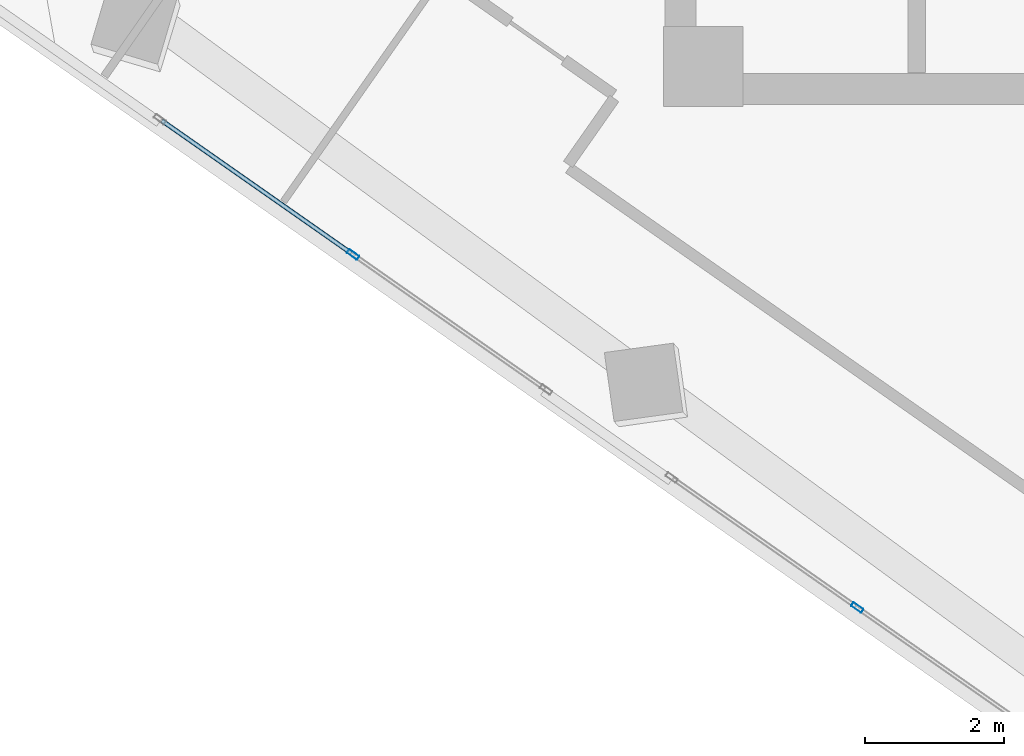
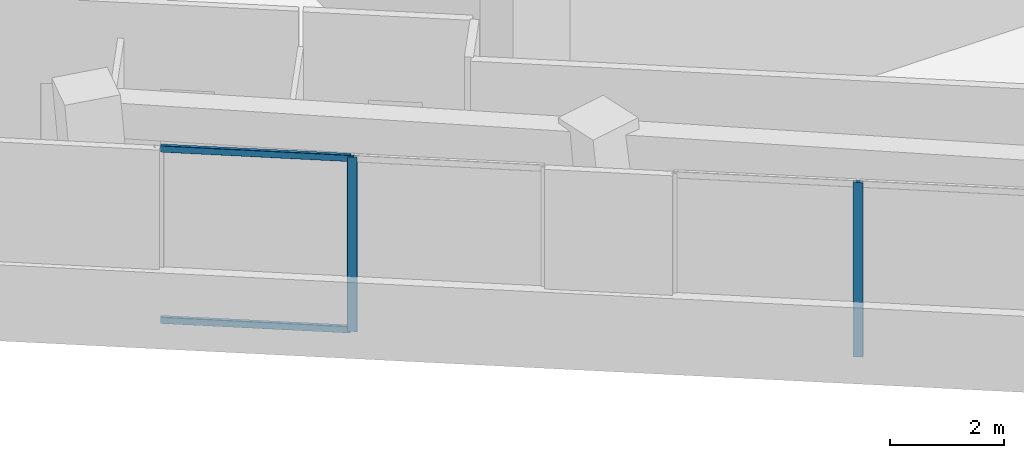
# One storey, part 2 of 22: 4 members, 2 elements without a shape of their own.
"""IFC4 building model written with IfcOpenShell, lengths in metres."""

from ifc_helpers import new_model, si_unit, direction, frame, origin, origin_2d, place, context, subcontext, project, spatial, hollow_rectangle, extrude, source, transform, mapped, material, material_profile, profile_set, type_object, element, aggregate, save


model = new_model("IFC4")

# Units and contexts
model_context = context("Model", 3, precision=1e-05, world=origin(), true_north=direction((0.0, 1.0)))
body_context = subcontext(model_context, "Body", "Model", "MODEL_VIEW")
ifc_project = project(units=[si_unit("LENGTHUNIT", "METRE"), si_unit("AREAUNIT", "SQUARE_METRE"), si_unit("VOLUMEUNIT", "CUBIC_METRE"), si_unit("PLANEANGLEUNIT", "RADIAN"), si_unit("MASSUNIT", "GRAM", prefix="KILO")], contexts=[model_context])

# Site, building, storey
site_placement = place(None, origin())
site = spatial("IfcSite", under=ifc_project, at=site_placement, CompositionType="ELEMENT")
building_placement = place(site_placement, origin())
building = spatial("IfcBuilding", under=site, at=building_placement, Name="Torre Montelarca", CompositionType="ELEMENT")
storey_placement = place(building_placement, frame((0.0, 0.0, 196.0)))
storey = spatial("IfcBuildingStorey", under=building, at=storey_placement, Name="L44", CompositionType="ELEMENT", Elevation=196.0)

# Curtain wall, member
ifc_material_1 = material(Name="Insulated low-E laminated glass", Category="glass")
curtain_wall_type = type_object("IfcCurtainWallType", Name="CW-SYS-Z2", PredefinedType="USERDEFINED", material=ifc_material_1)
curtain_wall_1_placement = place(storey_placement, origin())
curtain_wall_1 = element("IfcCurtainWall", 1, at=curtain_wall_1_placement, inside=storey, type_object=curtain_wall_type, Name="L44 Curtain Wall Run CW-T3-L44-E01-B1", ObjectType="UNITISED GLAZING", PredefinedType="USERDEFINED")
ifc_material_2 = material(Name="Anodised aluminium AA 6063-T6", Category="aluminium")
ifc_material_profile_1 = material_profile(ifc_material_2, hollow_rectangle(XDim=0.06494140625, YDim=0.179931640625, WallThickness=0.00390625, InnerFilletRadius=0.00390625, OuterFilletRadius=0.008056640625, at=origin_2d()), Name="ALU65X180X4", Category="aluminium")
ifc_profile_set_1 = profile_set([ifc_material_profile_1], Name="Anodised aluminium AA 6063-T6")
member_type_1 = type_object("IfcMemberType", Name="CWM-ALU180", PredefinedType="MULLION", material=ifc_profile_set_1)
shared_shape_1 = source(origin(), body_context, "Body", "SweptSolid", [
    extrude(hollow_rectangle(XDim=0.06494140625, YDim=0.179931640625, WallThickness=0.00390625, InnerFilletRadius=0.00390625, OuterFilletRadius=0.008056640625, at=origin_2d()), origin(), (0.0, 0.0, 1.0), 3.719970703125),
])
member_1_placement = place(storey_placement, frame((4.505615234375, 21.840087890625, 0.0), z_axis=(0.0, 0.0, 1.0), x_axis=(0.573568109864, 0.819157874495, 0.0)))
member_1 = element("IfcMember", 2, at=member_1_placement, type_object=member_type_1, Name="CW mullion 2", PredefinedType="MULLION", context=body_context, shape_type="MappedRepresentation", body=[
    mapped(shared_shape_1, transform((0.0, 0.0, 0.0), scale=1.0)),
])

curtain_wall_2_placement = place(storey_placement, origin())
curtain_wall_2 = element("IfcCurtainWall", 3, at=curtain_wall_2_placement, inside=storey, type_object=curtain_wall_type, Name="L44 Curtain Wall Run CW-T3-L44-E01-B2", ObjectType="UNITISED GLAZING", PredefinedType="USERDEFINED")
member_2_placement = place(storey_placement, frame((11.769775390625, 16.75390625, 0.0), z_axis=(0.0, 0.0, 1.0), x_axis=(0.573571337551, 0.819155614484, 0.0)))
member_2 = element("IfcMember", 4, at=member_2_placement, type_object=member_type_1, Name="CW mullion 2", PredefinedType="MULLION", context=body_context, shape_type="MappedRepresentation", body=[
    mapped(shared_shape_1, transform((0.0, 0.0, 0.0), scale=1.0)),
])
aggregate(curtain_wall_2, [member_2])

# Member
ifc_material_profile_2 = material_profile(ifc_material_2, hollow_rectangle(XDim=0.06494140625, YDim=0.139892578125, WallThickness=0.00390625, InnerFilletRadius=0.00390625, OuterFilletRadius=0.008056640625, at=origin_2d()), Name="ALU65X140X4", Category="aluminium")
ifc_profile_set_2 = profile_set([ifc_material_profile_2], Name="Anodised aluminium AA 6063-T6")
member_type_2 = type_object("IfcMemberType", Name="CWT-ALU140", PredefinedType="USERDEFINED", material=ifc_profile_set_2)
shared_shape_2 = source(origin(), body_context, "Body", "SweptSolid", [
    extrude(hollow_rectangle(XDim=0.06494140625, YDim=0.139892578125, WallThickness=0.00390625, InnerFilletRadius=0.00390625, OuterFilletRadius=0.008056640625, at=origin_2d()), origin(), (0.0, 0.0, 1.0), 3.3291015625),
])
member_3_placement = place(storey_placement, frame((1.751953125, 23.768310546875, 0.032470703125), z_axis=(0.819163008306, -0.573560777794, 0.0), x_axis=(0.573560777794, 0.819163008306, 0.0)))
member_3 = element("IfcMember", 5, at=member_3_placement, type_object=member_type_2, Name="CW transom 1.1", ObjectType="TRANSOM", PredefinedType="USERDEFINED", context=body_context, shape_type="MappedRepresentation", body=[
    mapped(shared_shape_2, transform((0.0, 0.0, 0.0), scale=1.0)),
])

member_4_placement = place(storey_placement, frame((1.751953125, 23.768310546875, 3.6875), z_axis=(0.819163008306, -0.573560777794, 0.0), x_axis=(0.573560777794, 0.819163008306, 0.0)))
member_4 = element("IfcMember", 6, at=member_4_placement, type_object=member_type_2, Name="CW transom 1.2", ObjectType="TRANSOM", PredefinedType="USERDEFINED", context=body_context, shape_type="MappedRepresentation", body=[
    mapped(shared_shape_2, transform((0.0, 0.0, 0.0), scale=1.0)),
])

aggregate(curtain_wall_1, [member_1, member_3, member_4])

save(model, "model.ifc")
